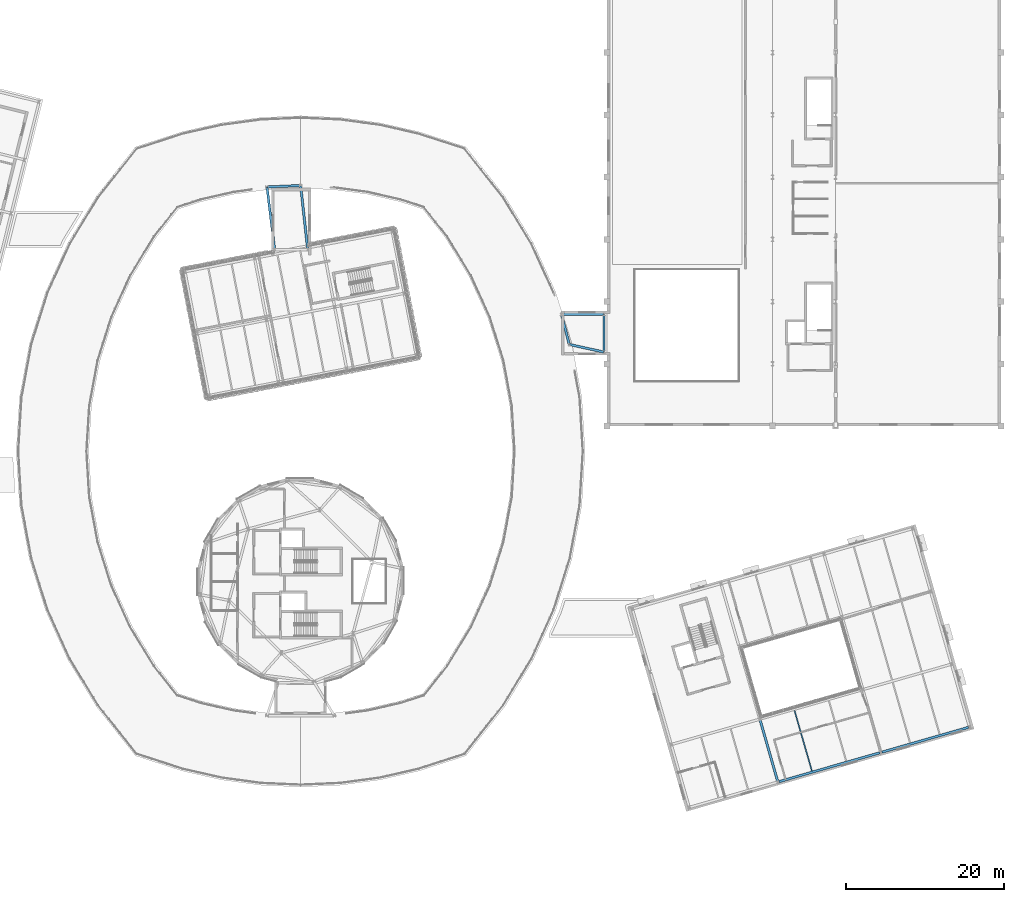
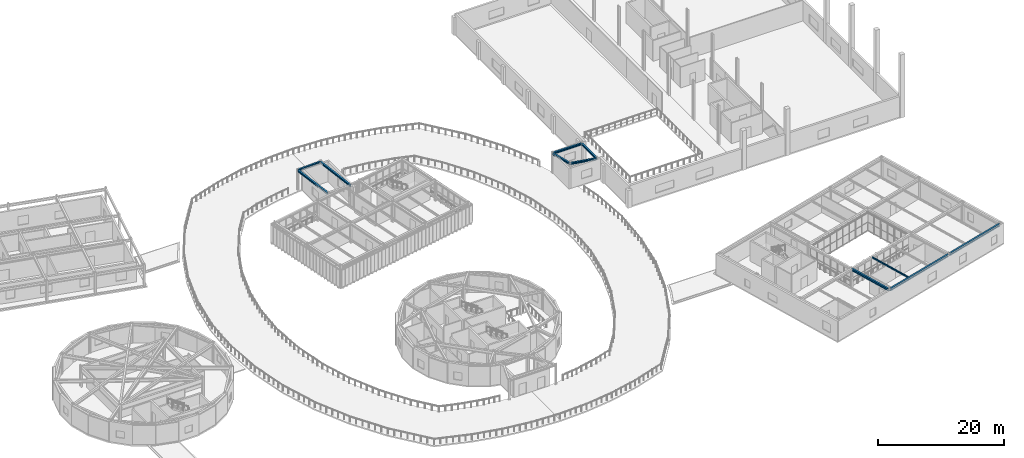
# One storey, part 24 of 59: 11 beams.
"""IFC4 building model written with IfcOpenShell, lengths in metres."""

import ifcopenshell
import ifcopenshell.guid

model = None  # the IFC model being written
_history = None  # IfcOwnerHistory: only IFC2X3 demands one
_inside = {}  # id of a spatial element -> (the spatial element, [elements in it])
_under = {}  # id of a project, library or spatial element -> (it, [spatial elements below it])
_declared = {}  # id of a project -> (the project, [libraries it declares])
_typed = {}  # id of a type object -> (the type object, [elements of that type])
_made_of = {}  # id of a material, layer set ... -> (it, [elements and type objects made of it])


def new_model(schema):
    """Start an empty IFC model of exactly this schema.

    Asked for "IFC4X3", IfcOpenShell would pick the latest addendum, in which some entities
    have other attributes; the version numbers below select the first issue.
    IFC2X3 requires an IfcOwnerHistory on every rooted entity: one is made here for all.
    """
    global model, _history
    if schema == "IFC4X3":
        model = ifcopenshell.file(schema_version=(4, 3, 0, 0))
    else:
        model = ifcopenshell.file(schema=schema)
    _inside.clear()
    _under.clear()
    _declared.clear()
    _typed.clear()
    _made_of.clear()
    _history = None
    if model.schema == "IFC2X3":
        org = make("IfcOrganization", Name="unknown")
        user = make(
            "IfcPersonAndOrganization",
            ThePerson=make("IfcPerson", FamilyName="unknown"),
            TheOrganization=org,
        )
        app = make(
            "IfcApplication",
            ApplicationDeveloper=org,
            Version="unknown",
            ApplicationFullName="unknown",
            ApplicationIdentifier="unknown",
        )
        _history = make(
            "IfcOwnerHistory",
            OwningUser=user,
            OwningApplication=app,
            ChangeAction="ADDED",
            CreationDate=0,
        )
    return model


def make(cls, **values):
    """One entity of the class cls with the attributes given. An attribute that is None is left unset."""
    return model.create_entity(
        cls, **{name: value for name, value in values.items() if value is not None}
    )


def rooted(cls, **values):
    """An entity with a GlobalId (a new one), such as an element, a storey or a relation."""
    return make(cls, GlobalId=ifcopenshell.guid.new(), OwnerHistory=_history, **values)


def si_unit(unit_type, name, prefix=None):
    """IfcSIUnit, for example si_unit("LENGTHUNIT", "METRE", prefix="MILLI")."""
    return make("IfcSIUnit", UnitType=unit_type, Prefix=prefix, Name=name)


def assignment(units):
    """IfcUnitAssignment: the units of a project."""
    return None if units is None else make("IfcUnitAssignment", Units=units)


def point(xyz):
    """IfcCartesianPoint."""
    return None if xyz is None else make("IfcCartesianPoint", Coordinates=xyz)


def direction(xyz):
    """IfcDirection."""
    return None if xyz is None else make("IfcDirection", DirectionRatios=xyz)


def frame(location, z_axis=None, x_axis=None):
    """IfcAxis2Placement3D, a coordinate frame: its origin and axes. An axis left out is left unset."""
    return make(
        "IfcAxis2Placement3D",
        Location=point(location),
        Axis=direction(z_axis),
        RefDirection=direction(x_axis),
    )


def frame_2d(location, x_axis=None):
    """IfcAxis2Placement2D, a coordinate frame in the plane: its origin and x axis."""
    return make(
        "IfcAxis2Placement2D", Location=point(location), RefDirection=direction(x_axis)
    )


def origin():
    """The frame at (0, 0, 0) with its axes left unset."""
    return frame((0.0, 0.0, 0.0))


def origin_2d():
    """The frame at (0, 0) in the plane with its x axis left unset."""
    return frame_2d((0.0, 0.0))


def place(relative_to, where):
    """IfcLocalPlacement: puts the frame where relative to a parent placement (None: the world)."""
    return make(
        "IfcLocalPlacement", PlacementRelTo=relative_to, RelativePlacement=where
    )


def context(
    kind, dimensions, precision=None, world=None, true_north=None, identifier=None
):
    """IfcGeometricRepresentationContext, for example the 3D "Model" context."""
    return make(
        "IfcGeometricRepresentationContext",
        ContextIdentifier=identifier,
        ContextType=kind,
        CoordinateSpaceDimension=dimensions,
        Precision=precision,
        WorldCoordinateSystem=world,
        TrueNorth=true_north,
    )


def subcontext(parent, identifier, kind, view, scale=None):
    """IfcGeometricRepresentationSubContext, for example "Body" below "Model"."""
    return make(
        "IfcGeometricRepresentationSubContext",
        ContextIdentifier=identifier,
        ContextType=kind,
        ParentContext=parent,
        TargetScale=scale,
        TargetView=view,
    )


def project(units=None, contexts=None):
    """IfcProject with its units and contexts."""
    return rooted(
        "IfcProject",
        Name="project",
        RepresentationContexts=contexts,
        UnitsInContext=assignment(units),
    )


def spatial(cls, under=None, at=None, **own):
    """A site, building, storey or space (cls), placed at a placement, below another one or the project."""
    s = rooted(cls, ObjectPlacement=at, **own)
    if under is not None:
        _under.setdefault(under.id(), (under, []))[1].append(s)
    return s


def profile(cls, at=None, kind="AREA", **sizes):
    """A parametric profile (cls). Its sizes go by their IFC names, for example OverallWidth=200.0."""
    return make(cls, ProfileType=kind, Position=at, **sizes)


def i_section(**sizes):
    """IfcIShapeProfileDef."""
    return profile("IfcIShapeProfileDef", **sizes)


def extrude(swept, where, along, depth):
    """IfcExtrudedAreaSolid: the profile swept, set in the frame where, extruded along a direction by depth."""
    return make(
        "IfcExtrudedAreaSolid",
        SweptArea=swept,
        Position=where,
        ExtrudedDirection=direction(along),
        Depth=depth,
    )


def shape(context_of_items, identifier, shape_type, items):
    """IfcShapeRepresentation: the items that make up one representation, for example the "Body"."""
    return make(
        "IfcShapeRepresentation",
        ContextOfItems=context_of_items,
        RepresentationIdentifier=identifier,
        RepresentationType=shape_type,
        Items=items,
    )


def material(Name=None, Category=None):
    """IfcMaterial."""
    return make("IfcMaterial", Name=Name, Category=Category)


def material_profile(
    of_material, cross_section, Name=None, Category=None, Priority=None
):
    """IfcMaterialProfile: a cross section and its material."""
    return make(
        "IfcMaterialProfile",
        Name=Name,
        Material=of_material,
        Profile=cross_section,
        Priority=Priority,
        Category=Category,
    )


def profile_set(profiles, Name=None, composite=None):
    """IfcMaterialProfileSet."""
    return make(
        "IfcMaterialProfileSet",
        Name=Name,
        MaterialProfiles=profiles,
        CompositeProfile=composite,
    )


def made_of(thing, what):
    """Note that an element or type object is made of a material, layer set ...; save() writes the relation."""
    if what is not None:
        _made_of.setdefault(what.id(), (what, []))[1].append(thing)
    return thing


def type_object(cls, material=None, **own):
    """A type object (cls), such as IfcWallType, which elements share."""
    return made_of(rooted(cls, **own), material)


def element(
    cls,
    number,
    at=None,
    inside=None,
    cuts=None,
    type_object=None,
    material=None,
    context=None,
    identifier="Body",
    shape_type=None,
    held_by="IfcProductDefinitionShape",
    body=None,
    shapes=None,
    **own,
):
    """One element of the class cls, such as IfcWall. Its Tag is "e" and its number.

    at: its placement. inside: the storey or other place that contains it. cuts: it is an
    opening in that element (IfcRelVoidsElement). A single representation is given by context,
    identifier, shape_type and body (its items); several are given by shapes. held_by: the class
    of the entity that holds the representations. save() writes the other relations.
    """
    e = rooted(cls, Tag="e%d" % number, ObjectPlacement=at, **own)
    if body is not None:
        shapes = [shape(context, identifier, shape_type, body)]
    if shapes is not None:
        e.Representation = make(held_by, Representations=shapes)
    if inside is not None:
        _inside.setdefault(inside.id(), (inside, []))[1].append(e)
    if cuts is not None:
        rooted(
            "IfcRelVoidsElement", RelatingBuildingElement=cuts, RelatedOpeningElement=e
        )
    if type_object is not None:
        _typed.setdefault(type_object.id(), (type_object, []))[1].append(e)
    return made_of(e, material)


def aggregate(whole, parts):
    """IfcRelAggregates: a whole, such as a stair, and the parts it consists of."""
    return rooted("IfcRelAggregates", RelatingObject=whole, RelatedObjects=parts)


def save(model, path):
    """Write the relations noted so far, then the file.

    IfcRelAggregates (storeys below a building ...), IfcRelContainedInSpatialStructure (elements
    in a storey), IfcRelDefinesByType, IfcRelAssociatesMaterial and IfcRelDeclares: one each for
    every whole, place, type object, material and project.
    """
    for whole, parts in _under.values():
        aggregate(whole, parts)
    for where, things in _inside.values():
        rooted(
            "IfcRelContainedInSpatialStructure",
            RelatedElements=things,
            RelatingStructure=where,
        )
    for kind, things in _typed.values():
        rooted("IfcRelDefinesByType", RelatedObjects=things, RelatingType=kind)
    for what, things in _made_of.values():
        rooted("IfcRelAssociatesMaterial", RelatedObjects=things, RelatingMaterial=what)
    for by, libraries in _declared.values():
        rooted("IfcRelDeclares", RelatingContext=by, RelatedDefinitions=libraries)
    model.write(path)


model = new_model("IFC4")

# Units and contexts
model_context = context("Model", 3, precision=1e-05, world=origin(), true_north=direction((0.0, 1.0)))
body_context = subcontext(model_context, "Body", "Model", "MODEL_VIEW")
ifc_project = project(units=[si_unit("LENGTHUNIT", "METRE"), si_unit("AREAUNIT", "SQUARE_METRE"), si_unit("VOLUMEUNIT", "CUBIC_METRE"), si_unit("PLANEANGLEUNIT", "RADIAN"), si_unit("MASSUNIT", "GRAM", prefix="KILO")], contexts=[model_context])

# Site, building, storey
site_placement = place(None, origin())
site = spatial("IfcSite", under=ifc_project, at=site_placement, CompositionType="ELEMENT")
building_placement = place(site_placement, origin())
building = spatial("IfcBuilding", under=site, at=building_placement, Name="Varnklinge Art Gallery", CompositionType="ELEMENT")
storey_placement = place(building_placement, frame((0.0, 0.0, 9.52001953125)))
storey = spatial("IfcBuildingStorey", under=building, at=storey_placement, Name="L02", CompositionType="ELEMENT", Elevation=9.52001953125)

# Beams
ifc_material_1 = material(Name="Steel S355", Category="steel")
ifc_material_profile_1 = material_profile(ifc_material_1, i_section(OverallWidth=0.300048828125, OverallDepth=0.489990234375, WebThickness=0.011962890625, FlangeThickness=0.02294921875, FilletRadius=0.027099609375, at=origin_2d()), Name="HEA 500")
ifc_profile_set_1 = profile_set([ifc_material_profile_1], Name="Steel S355")
beam_type_1 = type_object("IfcBeamType", Name="BM-07", PredefinedType="BEAM", material=ifc_profile_set_1)
beam_1_placement = place(storey_placement, frame((136.208984375, 13.07177734375, 3.675048828125), z_axis=(0.961262060229, 0.275636085381, 0.0), x_axis=(-0.275636085381, 0.961262060229, 0.0)))
element("IfcBeam", 1, at=beam_1_placement, inside=storey, type_object=beam_type_1, Name="L02 BM-07 BM-V6-L03-U0-1", PredefinedType="BEAM", context=body_context, shape_type="SweptSolid", body=[
    extrude(i_section(OverallWidth=0.300048828125, OverallDepth=0.489990234375, WebThickness=0.011962890625, FlangeThickness=0.02294921875, FilletRadius=0.027099609375, at=origin_2d()), origin(), (0.0, 0.0, 1.0), 13.319580078125),
])
beam_2_placement = place(storey_placement, frame((149.281982421875, 16.8203125, 3.675048828125), z_axis=(0.961257274888, 0.275652773383, 0.0), x_axis=(-0.275652773383, 0.961257274888, 0.0)))
element("IfcBeam", 2, at=beam_2_placement, inside=storey, type_object=beam_type_1, Name="L02 BM-07 BM-V6-L03-U0-2", PredefinedType="BEAM", context=body_context, shape_type="SweptSolid", body=[
    extrude(i_section(OverallWidth=0.300048828125, OverallDepth=0.489990234375, WebThickness=0.011962890625, FlangeThickness=0.02294921875, FilletRadius=0.027099609375, at=origin_2d()), origin(), (0.0, 0.0, 1.0), 11.419921875),
])
ifc_material_2 = material(Name="Steel S355", Category="steel")
ifc_material_profile_2 = material_profile(ifc_material_2, i_section(OverallWidth=0.300048828125, OverallDepth=0.43994140625, WebThickness=0.011474609375, FlangeThickness=0.02099609375, FilletRadius=0.027099609375, at=origin_2d()), Name="HEA 450")
ifc_profile_set_2 = profile_set([ifc_material_profile_2], Name="Steel S355")
beam_type_2 = type_object("IfcBeamType", Name="BM-08", PredefinedType="BEAM", material=ifc_profile_set_2)
beam_3_placement = place(storey_placement, frame((136.03564453125, 13.167724609375, 3.699951171875), z_axis=(-0.275621630307, 0.961266205016, 0.0), x_axis=(-0.961266205016, -0.275621630307, 0.0)))
element("IfcBeam", 3, at=beam_3_placement, inside=storey, type_object=beam_type_2, Name="L02 BM-08 BM-V6-L03-V1-0", PredefinedType="BEAM", context=body_context, shape_type="SweptSolid", body=[
    extrude(i_section(OverallWidth=0.300048828125, OverallDepth=0.43994140625, WebThickness=0.011474609375, FlangeThickness=0.02099609375, FilletRadius=0.027099609375, at=origin_2d()), origin(), (0.0, 0.0, 1.0), 8.019775390625),
])
ifc_material_3 = material(Name="Steel S355", Category="steel")
ifc_material_profile_3 = material_profile(ifc_material_3, i_section(OverallWidth=0.300048828125, OverallDepth=0.35009765625, WebThickness=0.010009765625, FlangeThickness=0.017578125, FilletRadius=0.027099609375, at=origin_2d()), Name="HEA 360")
ifc_profile_set_3 = profile_set([ifc_material_profile_3], Name="Steel S355")
beam_type_3 = type_object("IfcBeamType", Name="BM-10", PredefinedType="BEAM", material=ifc_profile_set_3)
beam_4_placement = place(storey_placement, frame((109.656982421875, 68.552978515625, 3.784912109375), z_axis=(0.976758555848, -0.214342537955, 0.0), x_axis=(0.214342537955, 0.976758555848, 0.0)))
element("IfcBeam", 4, at=beam_4_placement, inside=storey, type_object=beam_type_3, Name="L02 BM-10 BM-LNK-V1-ROOF-1", PredefinedType="BEAM", context=body_context, shape_type="SweptSolid", body=[
    extrude(i_section(OverallWidth=0.300048828125, OverallDepth=0.35009765625, WebThickness=0.010009765625, FlangeThickness=0.017578125, FilletRadius=0.027099609375, at=origin_2d()), origin(), (0.0, 0.0, 1.0), 4.386474609375),
])
beam_5_placement = place(storey_placement, frame((114.0, 67.659912109375, 3.784912109375), z_axis=(0.0, 1.0, 0.0), x_axis=(-1.0, 0.0, 0.0)))
element("IfcBeam", 5, at=beam_5_placement, inside=storey, type_object=beam_type_3, Name="L02 BM-10 BM-LNK-V1-ROOF-2", PredefinedType="BEAM", context=body_context, shape_type="SweptSolid", body=[
    extrude(i_section(OverallWidth=0.300048828125, OverallDepth=0.35009765625, WebThickness=0.010009765625, FlangeThickness=0.017578125, FilletRadius=0.027099609375, at=origin_2d()), origin(), (0.0, 0.0, 1.0), 4.68017578125),
])
beam_6_placement = place(storey_placement, frame((113.93994140625, 72.39990234375, 3.784912109375), z_axis=(-1.0, 0.0, 0.0), x_axis=(0.0, -1.0, 0.0)))
element("IfcBeam", 6, at=beam_6_placement, inside=storey, type_object=beam_type_3, Name="L02 BM-10 BM-LNK-V1-ROOF-3", PredefinedType="BEAM", context=body_context, shape_type="SweptSolid", body=[
    extrude(i_section(OverallWidth=0.300048828125, OverallDepth=0.35009765625, WebThickness=0.010009765625, FlangeThickness=0.017578125, FilletRadius=0.027099609375, at=origin_2d()), origin(), (0.0, 0.0, 1.0), 5.280029296875),
])
beam_7_placement = place(storey_placement, frame((108.614990234375, 72.341796875, 3.784912109375), z_axis=(0.252018338141, -0.967722458787, 0.0), x_axis=(0.967722458787, 0.252018338141, 0.0)))
element("IfcBeam", 7, at=beam_7_placement, inside=storey, type_object=beam_type_3, Name="L02 BM-10 BM-LNK-V1-ROOF-4", PredefinedType="BEAM", context=body_context, shape_type="SweptSolid", body=[
    extrude(i_section(OverallWidth=0.300048828125, OverallDepth=0.35009765625, WebThickness=0.010009765625, FlangeThickness=0.017578125, FilletRadius=0.027099609375, at=origin_2d()), origin(), (0.0, 0.0, 1.0), 3.842041015625),
])
beam_8_placement = place(storey_placement, frame((76.393310546875, 80.65966796875, 3.784912109375), z_axis=(-0.109810964055, 0.993952489897, 0.0), x_axis=(-0.993952489897, -0.109810964055, 0.0)))
element("IfcBeam", 8, at=beam_8_placement, inside=storey, type_object=beam_type_3, Name="L02 BM-10 BM-LNK-V4N-ROOF-2", PredefinedType="BEAM", context=body_context, shape_type="SweptSolid", body=[
    extrude(i_section(OverallWidth=0.300048828125, OverallDepth=0.35009765625, WebThickness=0.010009765625, FlangeThickness=0.017578125, FilletRadius=0.027099609375, at=origin_2d()), origin(), (0.0, 0.0, 1.0), 8.074951171875),
])
beam_9_placement = place(storey_placement, frame((75.440185546875, 88.74267578125, 3.784912109375), z_axis=(-0.998999211209, -0.044727799007, 0.0), x_axis=(0.044727799007, -0.998999211209, 0.0)))
element("IfcBeam", 9, at=beam_9_placement, inside=storey, type_object=beam_type_3, Name="L02 BM-10 BM-LNK-V4N-ROOF-3", PredefinedType="BEAM", context=body_context, shape_type="SweptSolid", body=[
    extrude(i_section(OverallWidth=0.300048828125, OverallDepth=0.35009765625, WebThickness=0.010009765625, FlangeThickness=0.017578125, FilletRadius=0.027099609375, at=origin_2d()), origin(), (0.0, 0.0, 1.0), 4.15380859375),
])
beam_10_placement = place(storey_placement, frame((71.238037109375, 88.494384765625, 3.784912109375), z_axis=(0.120946581817, -0.992659017159, 0.0), x_axis=(0.992659017159, 0.120946581817, 0.0)))
element("IfcBeam", 10, at=beam_10_placement, inside=storey, type_object=beam_type_3, Name="L02 BM-10 BM-LNK-V4N-ROOF-4", PredefinedType="BEAM", context=body_context, shape_type="SweptSolid", body=[
    extrude(i_section(OverallWidth=0.300048828125, OverallDepth=0.35009765625, WebThickness=0.010009765625, FlangeThickness=0.017578125, FilletRadius=0.027099609375, at=origin_2d()), origin(), (0.0, 0.0, 1.0), 7.892578125),
])
ifc_material_4 = material(Name="Steel S355", Category="steel")
ifc_material_profile_4 = material_profile(ifc_material_4, i_section(OverallWidth=0.14990234375, OverallDepth=0.300048828125, WebThickness=0.007080078125, FlangeThickness=0.0107421875, FilletRadius=0.014892578125, at=origin_2d()), Name="IPE 300")
ifc_profile_set_4 = profile_set([ifc_material_profile_4], Name="Steel S355")
beam_type_4 = type_object("IfcBeamType", Name="JST-08", PredefinedType="JOIST", material=ifc_profile_set_4)
beam_11_placement = place(storey_placement, frame((140.393310546875, 14.417236328125, 3.77001953125), z_axis=(-0.275613565062, 0.961268517509, 0.0), x_axis=(-0.961268517509, -0.275613565062, 0.0)))
element("IfcBeam", 11, at=beam_11_placement, inside=storey, type_object=beam_type_4, Name="L02 JST-08 JST-V6-L03-1-0-1", PredefinedType="JOIST", context=body_context, shape_type="SweptSolid", body=[
    extrude(i_section(OverallWidth=0.14990234375, OverallDepth=0.300048828125, WebThickness=0.007080078125, FlangeThickness=0.0107421875, FilletRadius=0.014892578125, at=origin_2d()), origin(), (0.0, 0.0, 1.0), 8.02001953125),
])

save(model, "model.ifc")
